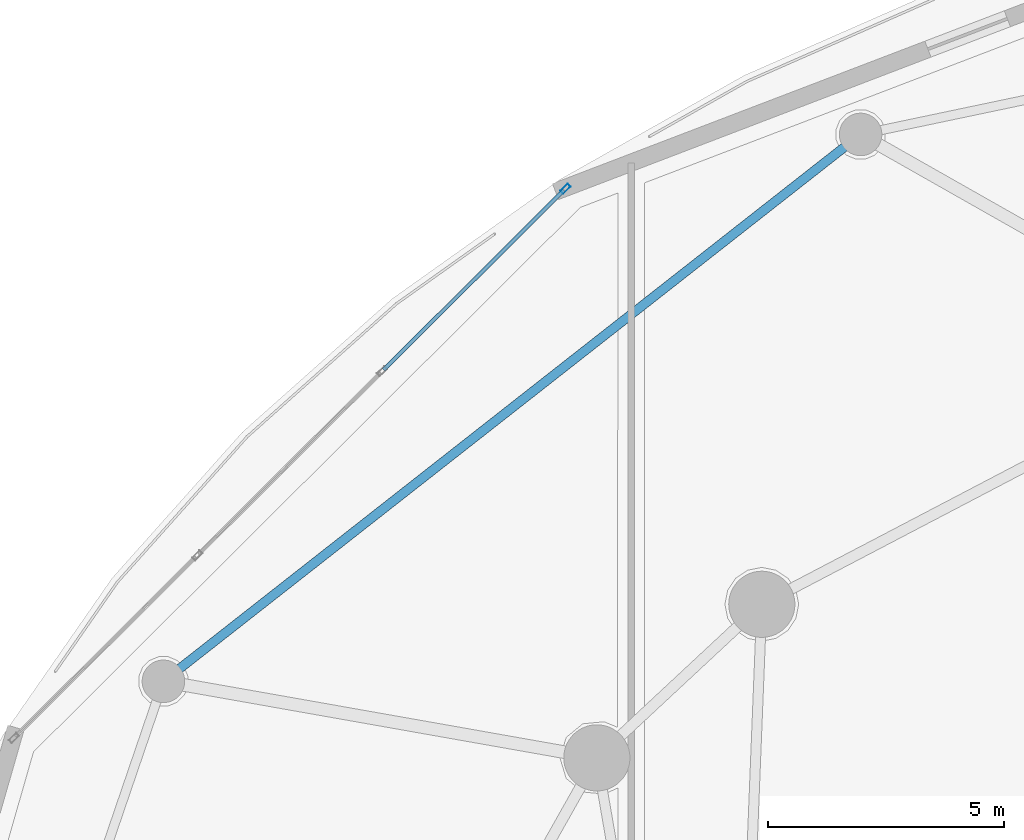
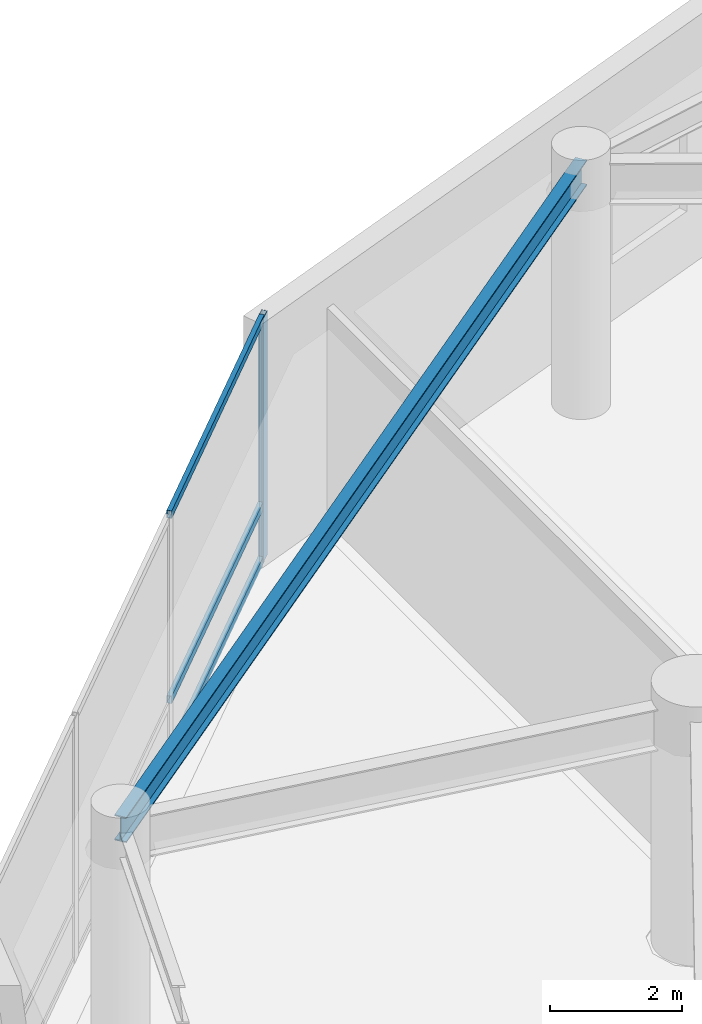
# One storey, part 9 of 40: 4 members, 1 beam, 1 element without a shape of its own.
"""IFC4 building model written with IfcOpenShell, lengths in metres."""

from ifc_helpers import new_model, si_unit, direction, frame, origin, origin_2d, place, context, subcontext, project, spatial, hollow_rectangle, i_section, extrude, material, layer, layer_set, material_profile, profile_set, type_object, element, aggregate, save


model = new_model("IFC4")

# Units and contexts
model_context = context("Model", 3, precision=1e-05, world=origin(), true_north=direction((0.0, 1.0)))
body_context = subcontext(model_context, "Body", "Model", "MODEL_VIEW")
ifc_project = project(units=[si_unit("LENGTHUNIT", "METRE"), si_unit("AREAUNIT", "SQUARE_METRE"), si_unit("VOLUMEUNIT", "CUBIC_METRE"), si_unit("PLANEANGLEUNIT", "RADIAN"), si_unit("MASSUNIT", "GRAM", prefix="KILO")], contexts=[model_context])

# Site, building, storey
site_placement = place(None, origin())
site = spatial("IfcSite", under=ifc_project, at=site_placement, CompositionType="ELEMENT")
building_placement = place(site_placement, origin())
building = spatial("IfcBuilding", under=site, at=building_placement, Name="Kazevale Care Tower and Concert Hall", CompositionType="ELEMENT")
storey_placement = place(building_placement, frame((0.0, 0.0, 9.60009765625)))
storey = spatial("IfcBuildingStorey", under=building, at=storey_placement, Name="L02", CompositionType="ELEMENT", Elevation=9.60009765625)

# Curtain wall, members
ifc_material_1 = material(Name="Aluminium 6063-T6 and Low-E Glass", Category="aluminium")
ifc_layer = layer(ifc_material_1, 0.179931640625)
ifc_layer_set = layer_set([ifc_layer], Name="Aluminium 6063-T6 and Low-E Glass")
curtain_wall_type = type_object("IfcCurtainWallType", Name="Podium Double-Skin Medical Curtain Wall CW-1", PredefinedType="NOTDEFINED", material=ifc_layer_set)
curtain_wall_placement = place(storey_placement, origin())
curtain_wall = element("IfcCurtainWall", 1, at=curtain_wall_placement, inside=storey, type_object=curtain_wall_type, Name="cw:L02:pod:06", PredefinedType="NOTDEFINED")
ifc_material_2 = material(Name="Aluminium 6063-T6", Category="aluminium")
ifc_material_profile_1 = material_profile(ifc_material_2, hollow_rectangle(XDim=0.090087890625, YDim=0.219970703125, WallThickness=0.0048828125, at=origin_2d()), Name="ALU90x220x5")
ifc_profile_set_1 = profile_set([ifc_material_profile_1], Name="Aluminium 6063-T6")
member_type_1 = type_object("IfcMemberType", Name="CW-1 Mullion ALU90x220x5", PredefinedType="MULLION", material=ifc_profile_set_1)
member_1_placement = place(storey_placement, frame((18.607177734375, 64.22216796875, 0.0), z_axis=(0.0, 0.0, 1.0), x_axis=(0.705655814257, -0.708554776856, 0.0)))
member_1 = element("IfcMember", 2, at=member_1_placement, type_object=member_type_1, Name="CW-1 mullion 1", PredefinedType="MULLION", context=body_context, shape_type="SweptSolid", body=[
    extrude(hollow_rectangle(XDim=0.090087890625, YDim=0.219970703125, WallThickness=0.0048828125, at=origin_2d()), origin(), (0.0, 0.0, 1.0), 4.52001953125),
])
ifc_material_profile_2 = material_profile(ifc_material_2, hollow_rectangle(XDim=0.080078125, YDim=0.139892578125, WallThickness=0.00390625, at=origin_2d()), Name="ALU80x140x4")
ifc_profile_set_2 = profile_set([ifc_material_profile_2], Name="Aluminium 6063-T6")
member_type_2 = type_object("IfcMemberType", Name="CW-1 Transom ALU80x140x4", PredefinedType="USERDEFINED", material=ifc_profile_set_2)
member_2_placement = place(storey_placement, frame((18.5751953125, 64.1904296875, 0.039794921875), z_axis=(-0.708556322862, -0.705654261896, 0.0), x_axis=(0.705654261896, -0.708556322862, 0.0)))
member_2 = element("IfcMember", 3, at=member_2_placement, type_object=member_type_2, Name="CW-1 transom 1.1", ObjectType="TRANSOM", PredefinedType="USERDEFINED", context=body_context, shape_type="SweptSolid", body=[
    extrude(hollow_rectangle(XDim=0.080078125, YDim=0.139892578125, WallThickness=0.00390625, at=origin_2d()), origin(), (0.0, 0.0, 1.0), 5.384033203125),
])
member_3_placement = place(storey_placement, frame((18.5751953125, 64.1904296875, 1.0498046875), z_axis=(-0.708556322862, -0.705654261896, 0.0), x_axis=(0.705654261896, -0.708556322862, 0.0)))
member_3 = element("IfcMember", 4, at=member_3_placement, type_object=member_type_2, Name="CW-1 transom 1.2", ObjectType="TRANSOM", PredefinedType="USERDEFINED", context=body_context, shape_type="SweptSolid", body=[
    extrude(hollow_rectangle(XDim=0.080078125, YDim=0.139892578125, WallThickness=0.00390625, at=origin_2d()), origin(), (0.0, 0.0, 1.0), 5.384033203125),
])
member_4_placement = place(storey_placement, frame((18.5751953125, 64.1904296875, 4.47998046875), z_axis=(-0.708556322862, -0.705654261896, 0.0), x_axis=(0.705654261896, -0.708556322862, 0.0)))
member_4 = element("IfcMember", 5, at=member_4_placement, type_object=member_type_2, Name="CW-1 transom 1.3", ObjectType="TRANSOM", PredefinedType="USERDEFINED", context=body_context, shape_type="SweptSolid", body=[
    extrude(hollow_rectangle(XDim=0.080078125, YDim=0.139892578125, WallThickness=0.00390625, at=origin_2d()), origin(), (0.0, 0.0, 1.0), 5.384033203125),
])
aggregate(curtain_wall, [member_1, member_2, member_3, member_4])

# Beam
ifc_material_3 = material(Name="Steel ASTM A572 Gr 50", Category="steel")
ifc_material_profile_3 = material_profile(ifc_material_3, i_section(OverallWidth=0.194091796875, OverallDepth=0.468994140625, WebThickness=0.0126953125, FlangeThickness=0.0205078125, at=origin_2d()), Name="W460x106")
ifc_profile_set_3 = profile_set([ifc_material_profile_3], Name="Steel ASTM A572 Gr 50")
beam_type = type_object("IfcBeamType", Name="Podium Floor Beam W460x106", PredefinedType="BEAM", material=ifc_profile_set_3)
beam_placement = place(storey_placement, frame((24.85009765625, 65.3701171875, 4.285400390625), z_axis=(-0.786816091325, -0.617187522907, 0.0), x_axis=(0.617187522907, -0.786816091325, 0.0)))
element("IfcBeam", 6, at=beam_placement, inside=storey, type_object=beam_type, Name="beam:L02:podring:05", PredefinedType="BEAM", context=body_context, shape_type="SweptSolid", body=[
    extrude(i_section(OverallWidth=0.194091796875, OverallDepth=0.468994140625, WebThickness=0.0126953125, FlangeThickness=0.0205078125, at=origin_2d()), origin(), (0.0, 0.0, 1.0), 18.746337890625),
])

save(model, "model.ifc")
